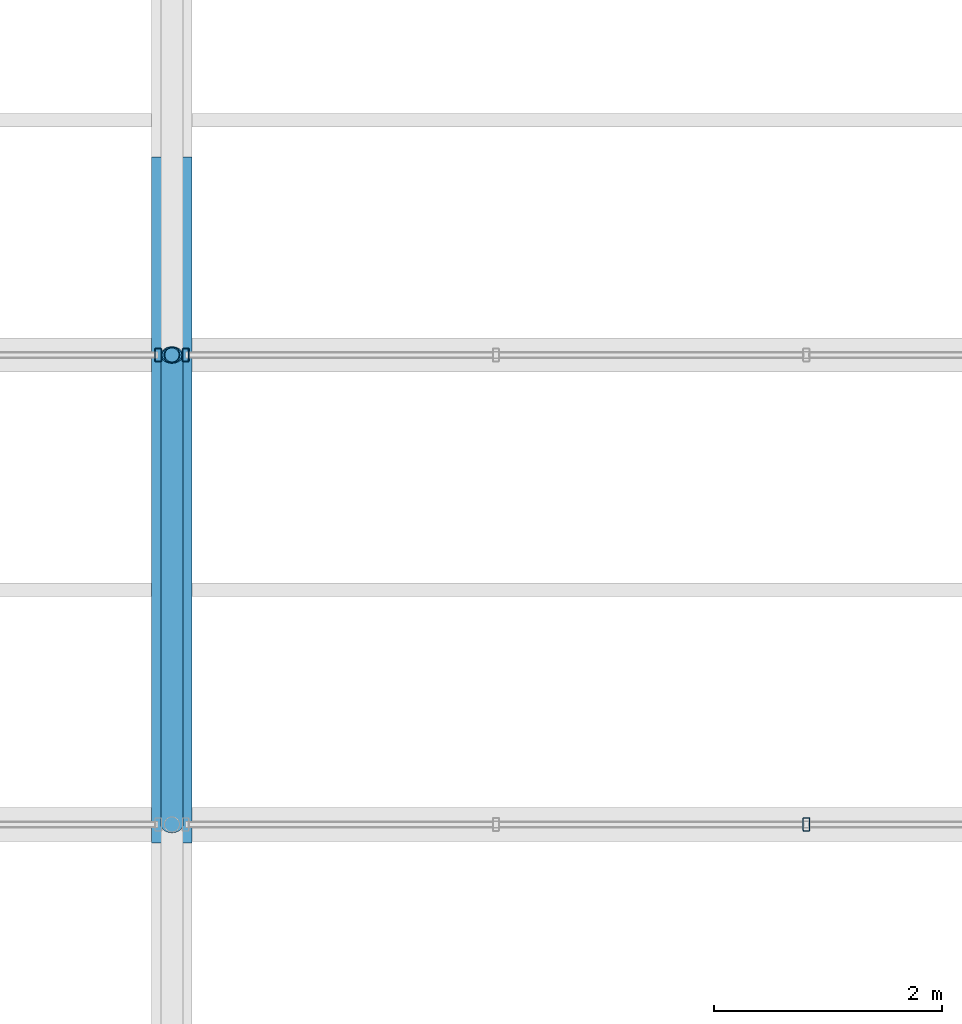
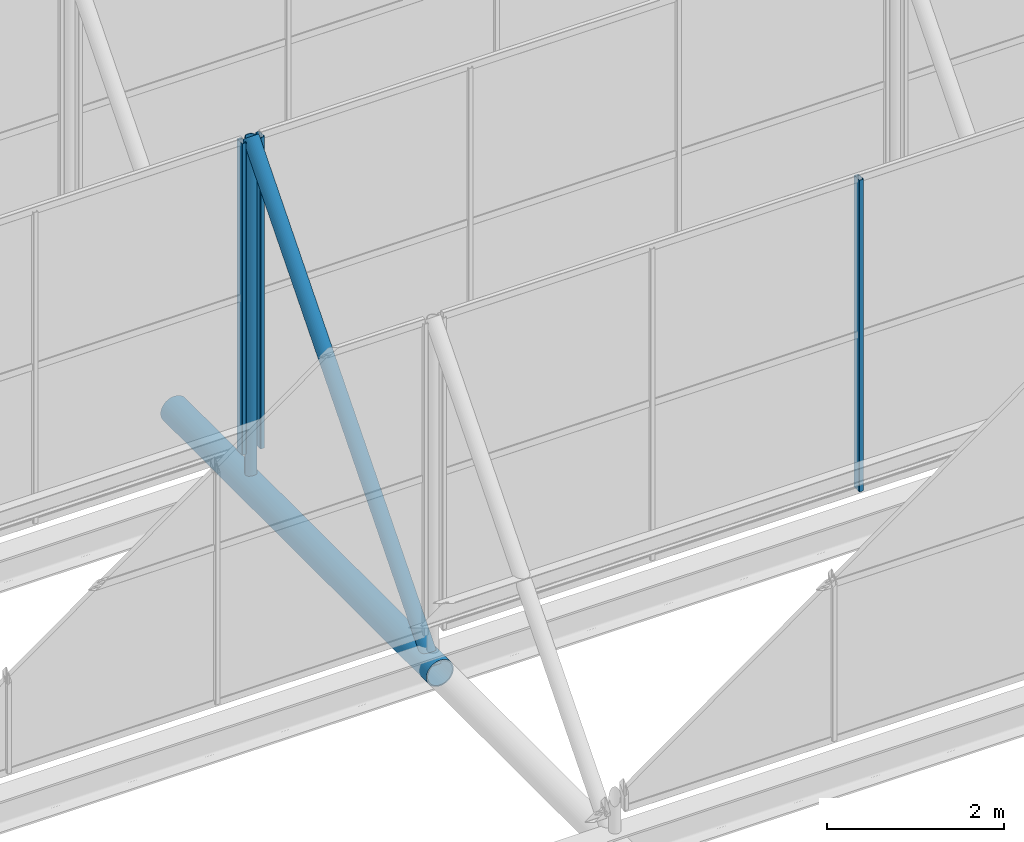
# One storey, part 31 of 77: 6 members, 3 elements without a shape of their own.
"""IFC4 building model written with IfcOpenShell, lengths in metres."""

from ifc_helpers import new_model, si_unit, derived_unit, direction, frame, origin, origin_2d, place, context, subcontext, project, spatial, hollow_rectangle, hollow_circle, extrude, material, material_profile, profile_set, type_object, element, aggregate, save


model = new_model("IFC4")

# Units and contexts
model_context = context("Model", 3, precision=1e-05, world=origin(), true_north=direction((0.0, 1.0)))
body_context = subcontext(model_context, "Body", "Model", "MODEL_VIEW")
ifc_project = project(units=[si_unit("LENGTHUNIT", "METRE"), si_unit("AREAUNIT", "SQUARE_METRE"), si_unit("VOLUMEUNIT", "CUBIC_METRE"), si_unit("PLANEANGLEUNIT", "RADIAN"), si_unit("MASSUNIT", "GRAM", prefix="KILO"), derived_unit("THERMALTRANSMITTANCEUNIT", [(si_unit("MASSUNIT", "GRAM", prefix="KILO"), 1), (si_unit("TIMEUNIT", "SECOND"), -3), (si_unit("THERMODYNAMICTEMPERATUREUNIT", "KELVIN"), -1)])], contexts=[model_context])

# Site, building, storey
site_placement = place(None, origin())
site = spatial("IfcSite", under=ifc_project, at=site_placement, CompositionType="ELEMENT")
building_placement = place(site_placement, origin())
building = spatial("IfcBuilding", under=site, at=building_placement, Name="Kharveza Railside Sports Centre", CompositionType="ELEMENT")
storey_placement = place(building_placement, frame((0.0, 0.0, 17.10009765625)))
storey = spatial("IfcBuildingStorey", under=building, at=storey_placement, Name="L04", CompositionType="ELEMENT", Elevation=17.10009765625)

# Curtain wall, member
ifc_material_1 = material(Name="Low-E solar-control laminated glass", Category="glass")
curtain_wall_type = type_object("IfcCurtainWallType", Name="CW-NL01", PredefinedType="NOTDEFINED", material=ifc_material_1)
curtain_wall_1_placement = place(storey_placement, origin())
curtain_wall_1 = element("IfcCurtainWall", 1, at=curtain_wall_1_placement, inside=storey, type_object=curtain_wall_type, Name="CW-V1NL-5-3", PredefinedType="NOTDEFINED")
ifc_material_2 = material(Name="Anodised aluminium 6063-T6", Category="aluminium")
ifc_material_profile_1 = material_profile(ifc_material_2, hollow_rectangle(XDim=0.06005859375, YDim=0.1201171875, WallThickness=0.0048828125, InnerFilletRadius=0.0048828125, OuterFilletRadius=0.010009765625, at=origin_2d()), Name="RHS 60x120x5.0")
ifc_profile_set_1 = profile_set([ifc_material_profile_1], Name="Anodised aluminium 6063-T6")
member_type_1 = type_object("IfcMemberType", Name="CW-ML05", PredefinedType="MULLION", material=ifc_profile_set_1)
member_1_placement = place(storey_placement, frame((55.9599609375, 56.5712890625, -0.550048828125), z_axis=(0.0, 0.0, 1.0), x_axis=(1.0, 0.0, 0.0)))
member_1 = element("IfcMember", 2, at=member_1_placement, type_object=member_type_1, Name="CW-V1NL-5-3-ML3", PredefinedType="MULLION", context=body_context, shape_type="SweptSolid", body=[
    extrude(hollow_rectangle(XDim=0.06005859375, YDim=0.1201171875, WallThickness=0.0048828125, InnerFilletRadius=0.0048828125, OuterFilletRadius=0.010009765625, at=origin_2d()), origin(), (0.0, 0.0, 1.0), 4.300048828125),
])
aggregate(curtain_wall_1, [member_1])

curtain_wall_2_placement = place(storey_placement, origin())
curtain_wall_2 = element("IfcCurtainWall", 3, at=curtain_wall_2_placement, inside=storey, type_object=curtain_wall_type, Name="CW-V1NL-6-2", PredefinedType="NOTDEFINED")
member_2_placement = place(storey_placement, frame((50.280029296875, 60.685791015625, -0.550048828125), z_axis=(0.0, 0.0, 1.0), x_axis=(1.0, 0.0, 0.0)))
member_2 = element("IfcMember", 4, at=member_2_placement, type_object=member_type_1, Name="CW-V1NL-6-2-ML4", PredefinedType="MULLION", context=body_context, shape_type="SweptSolid", body=[
    extrude(hollow_rectangle(XDim=0.06005859375, YDim=0.1201171875, WallThickness=0.0048828125, InnerFilletRadius=0.0048828125, OuterFilletRadius=0.010009765625, at=origin_2d()), origin(), (0.0, 0.0, 1.0), 4.300048828125),
])
aggregate(curtain_wall_2, [member_2])

curtain_wall_3_placement = place(storey_placement, origin())
curtain_wall_3 = element("IfcCurtainWall", 5, at=curtain_wall_3_placement, inside=storey, type_object=curtain_wall_type, Name="CW-V1NL-6-3", PredefinedType="NOTDEFINED")
member_3_placement = place(storey_placement, frame((50.52001953125, 60.685791015625, -0.550048828125), z_axis=(0.0, 0.0, 1.0), x_axis=(1.0, 0.0, 0.0)))
member_3 = element("IfcMember", 6, at=member_3_placement, type_object=member_type_1, Name="CW-V1NL-6-3-ML1", PredefinedType="MULLION", context=body_context, shape_type="SweptSolid", body=[
    extrude(hollow_rectangle(XDim=0.06005859375, YDim=0.1201171875, WallThickness=0.0048828125, InnerFilletRadius=0.0048828125, OuterFilletRadius=0.010009765625, at=origin_2d()), origin(), (0.0, 0.0, 1.0), 4.300048828125),
])
aggregate(curtain_wall_3, [member_3])

# Members
ifc_material_3 = material(Name="Steel S355J2", Category="steel")
ifc_material_profile_2 = material_profile(ifc_material_3, hollow_circle(Radius=0.177734375, WallThickness=0.01611328125, at=origin_2d()), Name="CHS 355.6x16.0")
ifc_profile_set_2 = profile_set([ifc_material_profile_2], Name="Steel S355J2")
member_type_2 = type_object("IfcMemberType", Name="MB-CH01", PredefinedType="CHORD", material=ifc_profile_set_2)
member_4_placement = place(storey_placement, frame((50.39990234375, 56.40966796875, -1.050048828125), z_axis=(0.0, 1.0, 0.0), x_axis=(-1.0, 0.0, 0.0)))
element("IfcMember", 7, at=member_4_placement, inside=storey, type_object=member_type_2, Name="MB-V1TR-TC-3-6", PredefinedType="CHORD", context=body_context, shape_type="SweptSolid", body=[
    extrude(hollow_circle(Radius=0.177734375, WallThickness=0.01611328125, at=origin_2d()), origin(), (0.0, 0.0, 1.0), 6.009521484375),
])
ifc_material_profile_3 = material_profile(ifc_material_3, hollow_circle(Radius=0.096923828125, WallThickness=0.010009765625, at=origin_2d()), Name="CHS 193.7x10.0")
ifc_profile_set_3 = profile_set([ifc_material_profile_3], Name="Steel S355J2")
member_type_3 = type_object("IfcMemberType", Name="MB-ST02", PredefinedType="STRUT", material=ifc_profile_set_3)
member_5_placement = place(storey_placement, frame((50.39990234375, 56.5712890625, -1.050048828125), z_axis=(0.0, 0.65002553535, 0.759912365601), x_axis=(-1.0, 0.0, 0.0)))
element("IfcMember", 8, at=member_5_placement, inside=storey, type_object=member_type_3, Name="MB-V1SAW-RFT-6-3", PredefinedType="STRUT", context=body_context, shape_type="SweptSolid", body=[
    extrude(hollow_circle(Radius=0.096923828125, WallThickness=0.010009765625, at=origin_2d()), origin(), (0.0, 0.0, 1.0), 6.329833984375),
])
ifc_material_profile_4 = material_profile(ifc_material_3, hollow_circle(Radius=0.06982421875, WallThickness=0.008056640625, at=origin_2d()), Name="CHS 139.7x8.0")
ifc_profile_set_4 = profile_set([ifc_material_profile_4], Name="Steel S355J2")
member_type_4 = type_object("IfcMemberType", Name="MB-ST04", PredefinedType="STRUT", material=ifc_profile_set_4)
member_6_placement = place(storey_placement, frame((50.39990234375, 60.685791015625, -1.050048828125), z_axis=(0.0, 0.0, 1.0), x_axis=(1.0, 0.0, 0.0)))
element("IfcMember", 9, at=member_6_placement, inside=storey, type_object=member_type_4, Name="MB-V1SAW-PST-6-3", PredefinedType="STRUT", context=body_context, shape_type="SweptSolid", body=[
    extrude(hollow_circle(Radius=0.06982421875, WallThickness=0.008056640625, at=origin_2d()), origin(), (0.0, 0.0, 1.0), 4.81005859375),
])

save(model, "model.ifc")
